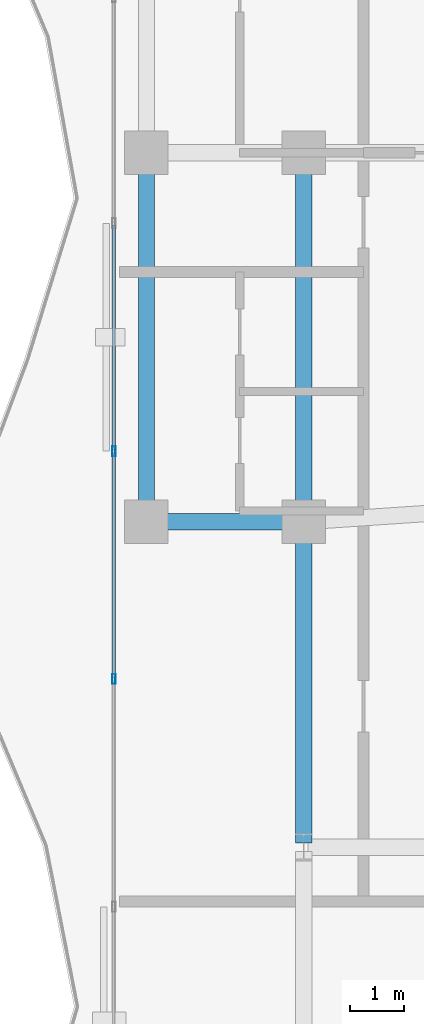
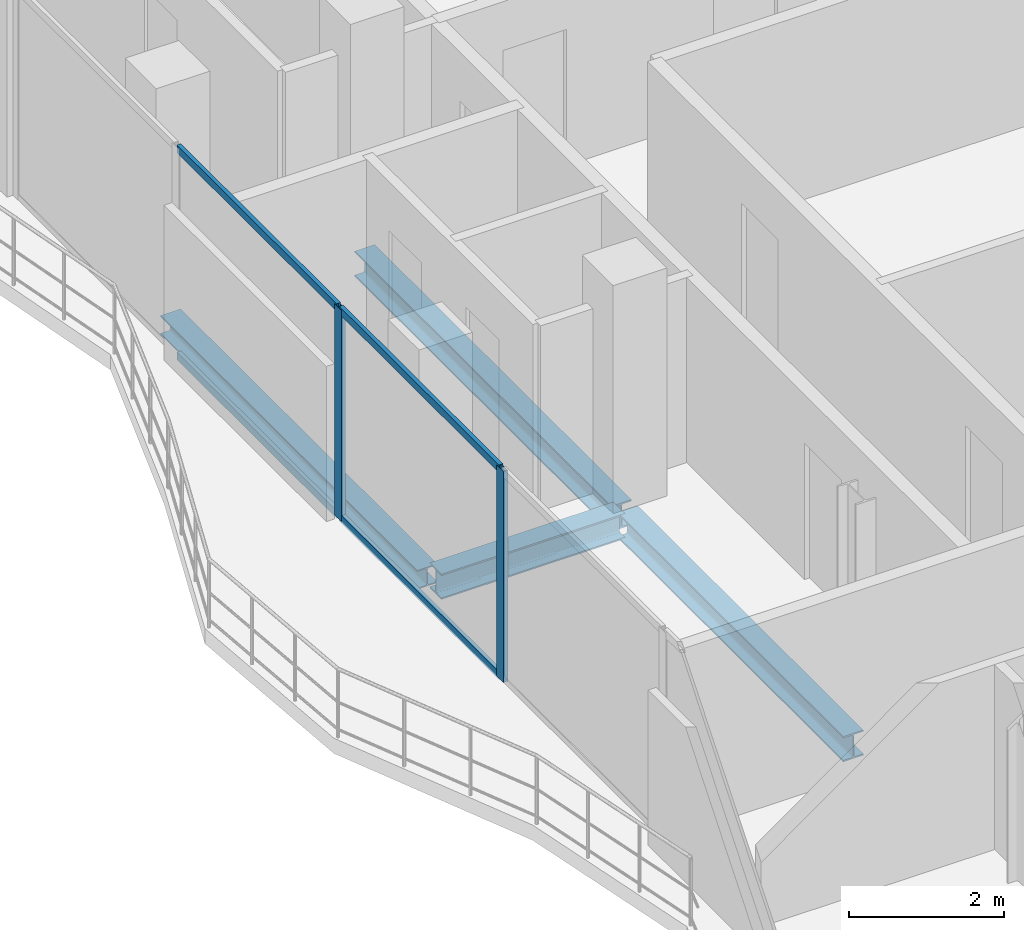
# One storey, part 7 of 23: 6 members, 4 beams, 1 element without a shape of its own.
"""IFC4 building model written with IfcOpenShell, lengths in metres."""

from ifc_helpers import new_model, si_unit, direction, frame, origin, origin_2d, place, context, subcontext, project, spatial, hollow_rectangle, i_section, extrude, material, layer, layer_set, material_profile, profile_set, type_object, element, aggregate, save


model = new_model("IFC4")

# Units and contexts
model_context = context("Model", 3, precision=1e-05, world=origin(), true_north=direction((0.0, 1.0)))
body_context = subcontext(model_context, "Body", "Model", "MODEL_VIEW")
ifc_project = project(units=[si_unit("LENGTHUNIT", "METRE"), si_unit("AREAUNIT", "SQUARE_METRE"), si_unit("VOLUMEUNIT", "CUBIC_METRE"), si_unit("PLANEANGLEUNIT", "RADIAN"), si_unit("MASSUNIT", "GRAM", prefix="KILO")], contexts=[model_context])

# Site, building, storey
site_placement = place(None, origin())
site = spatial("IfcSite", under=ifc_project, at=site_placement, CompositionType="ELEMENT")
building_placement = place(site_placement, origin())
building = spatial("IfcBuilding", under=site, at=building_placement, Name="Catumbela Crestline Tower", CompositionType="ELEMENT")
storey_placement = place(building_placement, frame((0.0, 0.0, 186.6)))
storey = spatial("IfcBuildingStorey", under=building, at=storey_placement, Name="L48", CompositionType="ELEMENT", Elevation=186.6)

# Beams
ifc_material_1 = material(Name="Structural steel S355J2", Category="steel")
ifc_material_profile_1 = material_profile(ifc_material_1, i_section(OverallWidth=0.3, OverallDepth=0.4, WebThickness=0.0135, FlangeThickness=0.024, FilletRadius=0.027, at=origin_2d()), Name="HEB 400")
ifc_profile_set_1 = profile_set([ifc_material_profile_1], Name="Structural steel S355J2")
beam_type_1 = type_object("IfcBeamType", Name="BG-HEB400", PredefinedType="BEAM", material=ifc_profile_set_1)
beam_1_placement = place(storey_placement, frame((5.68, 24.0, -0.46), z_axis=(1.0, 0.0, 0.0), x_axis=(0.0, 1.0, 0.0)))
element("IfcBeam", 1, at=beam_1_placement, inside=storey, type_object=beam_type_1, Name="L48 Beam BM-L48-S01", PredefinedType="BEAM", context=body_context, shape_type="SweptSolid", body=[
    extrude(i_section(OverallWidth=0.3, OverallDepth=0.4, WebThickness=0.0135, FlangeThickness=0.024, FilletRadius=0.027, at=origin_2d()), origin(), (0.0, 0.0, 1.0), 2.74),
])
beam_2_placement = place(storey_placement, frame((8.5, 24.08, -0.46), z_axis=(0.0, 1.0, 0.0), x_axis=(-1.0, 0.0, 0.0)))
element("IfcBeam", 2, at=beam_2_placement, inside=storey, type_object=beam_type_1, Name="L48 Beam BM-L48-SN16", PredefinedType="BEAM", context=body_context, shape_type="SweptSolid", body=[
    extrude(i_section(OverallWidth=0.3, OverallDepth=0.4, WebThickness=0.0135, FlangeThickness=0.024, FilletRadius=0.027, at=origin_2d()), origin(), (0.0, 0.0, 1.0), 6.64),
])
beam_3_placement = place(storey_placement, frame((8.5, 18.08, -0.46), z_axis=(0.0, 1.0, 0.0), x_axis=(-1.0, 0.0, 0.0)))
element("IfcBeam", 3, at=beam_3_placement, inside=storey, type_object=beam_type_1, Name="L48 Beam BM-L48-WNS39", PredefinedType="BEAM", context=body_context, shape_type="SweptSolid", body=[
    extrude(i_section(OverallWidth=0.3, OverallDepth=0.4, WebThickness=0.0135, FlangeThickness=0.024, FilletRadius=0.027, at=origin_2d()), origin(), (0.0, 0.0, 1.0), 5.84),
])

# Curtain wall, members
ifc_material_2 = material(Name="Aluminium alloy AW-6060-T66", Category="aluminium")
ifc_layer = layer(ifc_material_2, 0.18, Name="Aluminium alloy AW-6060-T66")
ifc_layer_set = layer_set([ifc_layer], Name="Aluminium alloy AW-6060-T66")
curtain_wall_type = type_object("IfcCurtainWallType", Name="CWU-Z3", PredefinedType="USERDEFINED", material=ifc_layer_set)
curtain_wall_placement = place(storey_placement, origin())
curtain_wall = element("IfcCurtainWall", 4, at=curtain_wall_placement, inside=storey, type_object=curtain_wall_type, Name="L48 Unitised Curtain Wall CW-L48-E9S2", ObjectType="UNITISED", PredefinedType="USERDEFINED")
ifc_material_profile_2 = material_profile(ifc_material_2, hollow_rectangle(XDim=0.065, YDim=0.18, WallThickness=0.004, at=origin_2d()), Name="ALU 180x65x4")
ifc_profile_set_2 = profile_set([ifc_material_profile_2], Name="Aluminium alloy AW-6060-T66")
member_type_1 = type_object("IfcMemberType", Name="MUL-180X65", PredefinedType="MULLION", material=ifc_profile_set_2)
member_1_placement = place(storey_placement, frame((5.0, 25.3, 0.0), z_axis=(0.0, 0.0, 1.0), x_axis=(1.0, 0.0, 0.0)))
member_1 = element("IfcMember", 5, at=member_1_placement, type_object=member_type_1, Name="CWU-Z3 mullion 3", PredefinedType="MULLION", context=body_context, shape_type="SweptSolid", body=[
    extrude(hollow_rectangle(XDim=0.065, YDim=0.18, WallThickness=0.004, at=origin_2d()), origin(), (0.0, 0.0, 1.0), 3.33),
])
member_2_placement = place(storey_placement, frame((5.0, 21.1, 0.0), z_axis=(0.0, 0.0, 1.0), x_axis=(1.0, 0.0, 0.0)))
member_2 = element("IfcMember", 6, at=member_2_placement, type_object=member_type_1, Name="CWU-Z3 mullion 4", PredefinedType="MULLION", context=body_context, shape_type="SweptSolid", body=[
    extrude(hollow_rectangle(XDim=0.065, YDim=0.18, WallThickness=0.004, at=origin_2d()), origin(), (0.0, 0.0, 1.0), 3.33),
])

# Beam
ifc_material_profile_3 = material_profile(ifc_material_1, i_section(OverallWidth=0.3, OverallDepth=0.3, WebThickness=0.011, FlangeThickness=0.019, FilletRadius=0.027, at=origin_2d()), Name="HEB 300")
ifc_profile_set_3 = profile_set([ifc_material_profile_3], Name="Structural steel S355J2")
beam_type_2 = type_object("IfcBeamType", Name="BS-HEB300", PredefinedType="SPANDREL", material=ifc_profile_set_3)
beam_4_placement = place(storey_placement, frame((5.6, 24.08, -0.41), z_axis=(0.0, 1.0, 0.0), x_axis=(-1.0, 0.0, 0.0)))
element("IfcBeam", 7, at=beam_4_placement, inside=storey, type_object=beam_type_2, Name="L48 Spandrel SP-L48-SN14", PredefinedType="SPANDREL", context=body_context, shape_type="SweptSolid", body=[
    extrude(i_section(OverallWidth=0.3, OverallDepth=0.3, WebThickness=0.011, FlangeThickness=0.019, FilletRadius=0.027, at=origin_2d()), origin(), (0.0, 0.0, 1.0), 6.64),
])

# Member
ifc_material_profile_4 = material_profile(ifc_material_2, hollow_rectangle(XDim=0.06, YDim=0.12, WallThickness=0.0035, at=origin_2d()), Name="ALU 120x60x3.5")
ifc_profile_set_4 = profile_set([ifc_material_profile_4], Name="Aluminium alloy AW-6060-T66")
member_type_2 = type_object("IfcMemberType", Name="TRN-120X60", PredefinedType="USERDEFINED", material=ifc_profile_set_4)
member_3_placement = place(storey_placement, frame((5.0, 29.4675, 0.03), z_axis=(0.0, -1.0, 0.0), x_axis=(1.0, 0.0, 0.0)))
member_3 = element("IfcMember", 8, at=member_3_placement, type_object=member_type_2, Name="CWU-Z3 transom 2.1", ObjectType="TRANSOM", PredefinedType="USERDEFINED", context=body_context, shape_type="SweptSolid", body=[
    extrude(hollow_rectangle(XDim=0.06, YDim=0.12, WallThickness=0.0035, at=origin_2d()), origin(), (0.0, 0.0, 1.0), 4.135),
])

member_4_placement = place(storey_placement, frame((5.0, 29.4675, 3.3), z_axis=(0.0, -1.0, 0.0), x_axis=(1.0, 0.0, 0.0)))
member_4 = element("IfcMember", 9, at=member_4_placement, type_object=member_type_2, Name="CWU-Z3 transom 2.2", ObjectType="TRANSOM", PredefinedType="USERDEFINED", context=body_context, shape_type="SweptSolid", body=[
    extrude(hollow_rectangle(XDim=0.06, YDim=0.12, WallThickness=0.0035, at=origin_2d()), origin(), (0.0, 0.0, 1.0), 4.135),
])

member_5_placement = place(storey_placement, frame((5.0, 25.2675, 0.03), z_axis=(0.0, -1.0, 0.0), x_axis=(1.0, 0.0, 0.0)))
member_5 = element("IfcMember", 10, at=member_5_placement, type_object=member_type_2, Name="CWU-Z3 transom 3.1", ObjectType="TRANSOM", PredefinedType="USERDEFINED", context=body_context, shape_type="SweptSolid", body=[
    extrude(hollow_rectangle(XDim=0.06, YDim=0.12, WallThickness=0.0035, at=origin_2d()), origin(), (0.0, 0.0, 1.0), 4.135),
])

member_6_placement = place(storey_placement, frame((5.0, 25.2675, 3.3), z_axis=(0.0, -1.0, 0.0), x_axis=(1.0, 0.0, 0.0)))
member_6 = element("IfcMember", 11, at=member_6_placement, type_object=member_type_2, Name="CWU-Z3 transom 3.2", ObjectType="TRANSOM", PredefinedType="USERDEFINED", context=body_context, shape_type="SweptSolid", body=[
    extrude(hollow_rectangle(XDim=0.06, YDim=0.12, WallThickness=0.0035, at=origin_2d()), origin(), (0.0, 0.0, 1.0), 4.135),
])

aggregate(curtain_wall, [member_1, member_2, member_3, member_4, member_5, member_6])

save(model, "model.ifc")
